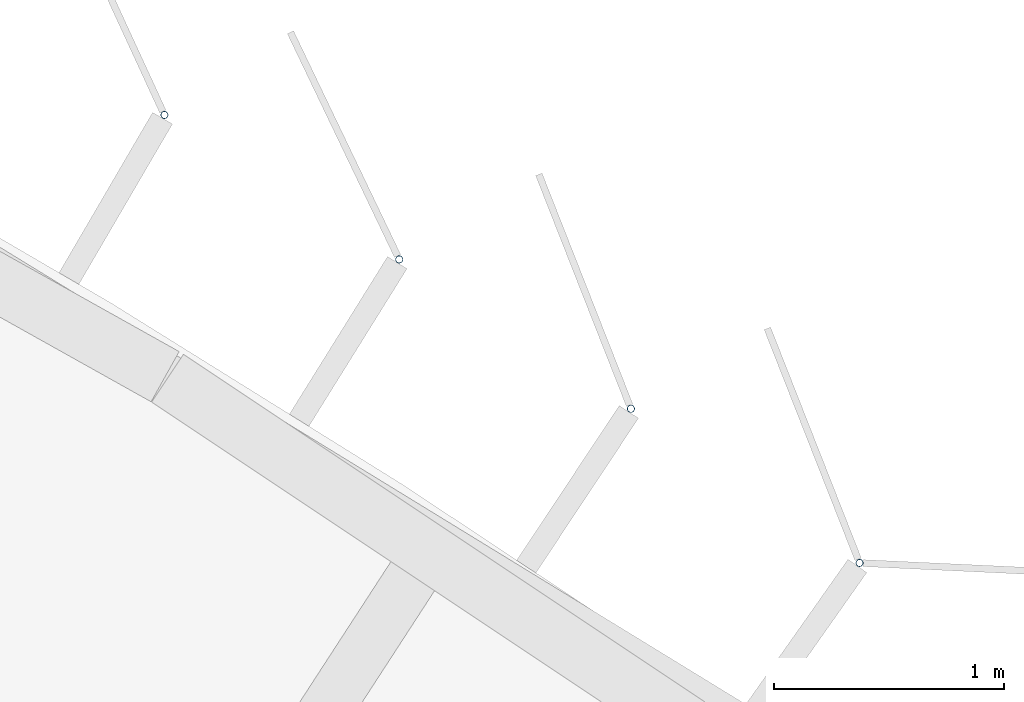
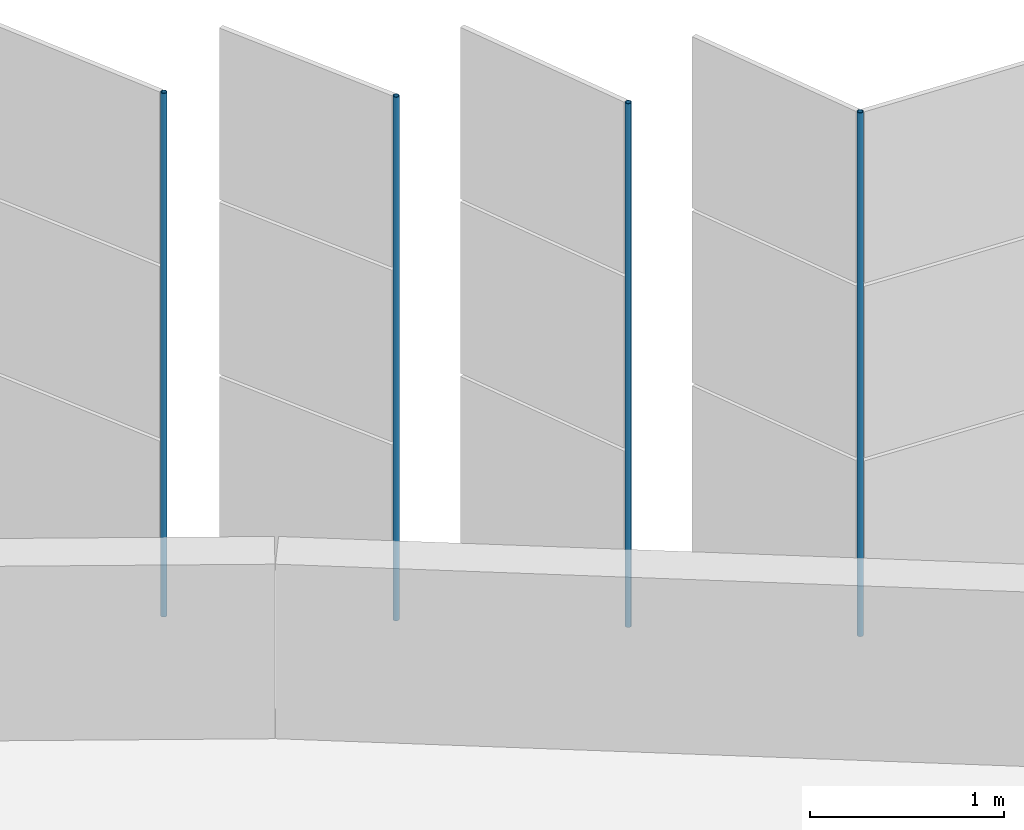
# One storey, part 176 of 214: 4 discrete accessories.
"""IFC4 building model written with IfcOpenShell, lengths in metres."""

from ifc_helpers import new_model, si_unit, direction, frame, origin, origin_2d, place, context, subcontext, project, spatial, hollow_circle, extrude, material, material_profile, profile_set, type_object, element, save


model = new_model("IFC4")

# Units and contexts
model_context = context("Model", 3, precision=1e-05, world=origin(), true_north=direction((0.0, 1.0)))
body_context = subcontext(model_context, "Body", "Model", "MODEL_VIEW")
ifc_project = project(units=[si_unit("LENGTHUNIT", "METRE"), si_unit("AREAUNIT", "SQUARE_METRE"), si_unit("VOLUMEUNIT", "CUBIC_METRE"), si_unit("PLANEANGLEUNIT", "RADIAN"), si_unit("MASSUNIT", "GRAM", prefix="KILO")], contexts=[model_context])

# Site, building, storey
site_placement = place(None, origin())
site = spatial("IfcSite", under=ifc_project, at=site_placement, CompositionType="ELEMENT")
building_placement = place(site_placement, origin())
building = spatial("IfcBuilding", under=site, at=building_placement, Name="Parallax Yard Mobility Hub", CompositionType="ELEMENT")
storey_placement = place(building_placement, frame((0.0, 0.0, 3.300048828125)))
storey = spatial("IfcBuildingStorey", under=building, at=storey_placement, Name="L01", CompositionType="ELEMENT", Elevation=3.300048828125)

# Discrete accessories
ifc_material = material(Name="Steel ASTM A500 Gr C, hot-dip galvanised", Category="steel")
ifc_material_profile = material_profile(ifc_material, hollow_circle(Radius=0.016845703125, WallThickness=0.003173828125, at=origin_2d()), Name="CHS 33.7x3.2")
ifc_profile_set = profile_set([ifc_material_profile], Name="Steel ASTM A500 Gr C, hot-dip galvanised")
discrete_accessory_type = type_object("IfcDiscreteAccessoryType", Name="Hinge post CHS 33.7x3.2", PredefinedType="BRACKET", material=ifc_profile_set)
for number, where, z_axis, x_axis, name in (
    (1, (202.86865234375, 133.826904296875, 0.0), (0.0, 0.0, 1.0), (1.0, 0.0, 0.0), "Hinge post bay 47.2 level L01"),
    (2, (201.873779296875, 134.497802734375, 0.0), (0.0, 0.0, 1.0), (1.0, 0.0, 0.0), "Hinge post bay 47.3 level L01"),
    (3, (200.865478515625, 135.147705078125, 0.0), (0.0, 0.0, 1.0), (1.0, 0.0, 0.0), "Hinge post bay 47.4 level L01"),
    (4, (199.843505859375, 135.7763671875, 0.0), (0.0, 0.0, 1.0), (1.0, 0.0, 0.0), "Hinge post bay 47.5 level L01"),
):
    element("IfcDiscreteAccessory", number, at=place(storey_placement, frame(where, z_axis=z_axis, x_axis=x_axis)), inside=storey, type_object=discrete_accessory_type, Name=name, PredefinedType="BRACKET", context=body_context, shape_type="SweptSolid", body=[
        extrude(hollow_circle(Radius=0.016845703125, WallThickness=0.003173828125, at=origin_2d()), origin(), (0.0, 0.0, 1.0), 3.300048828125),
    ])

save(model, "model.ifc")
